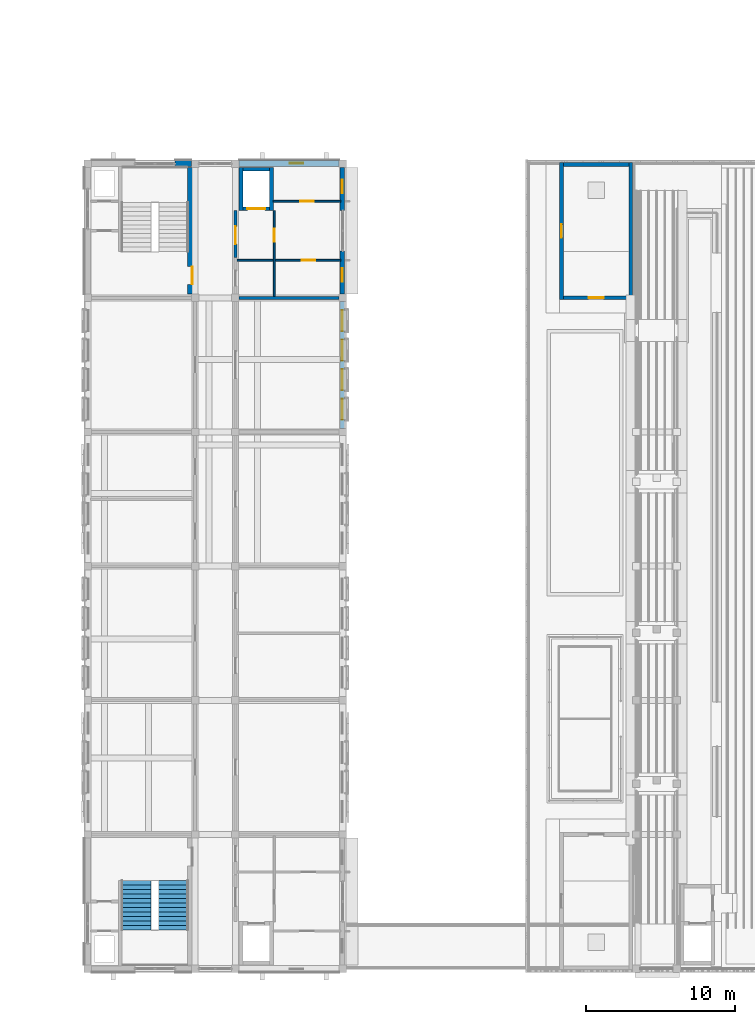
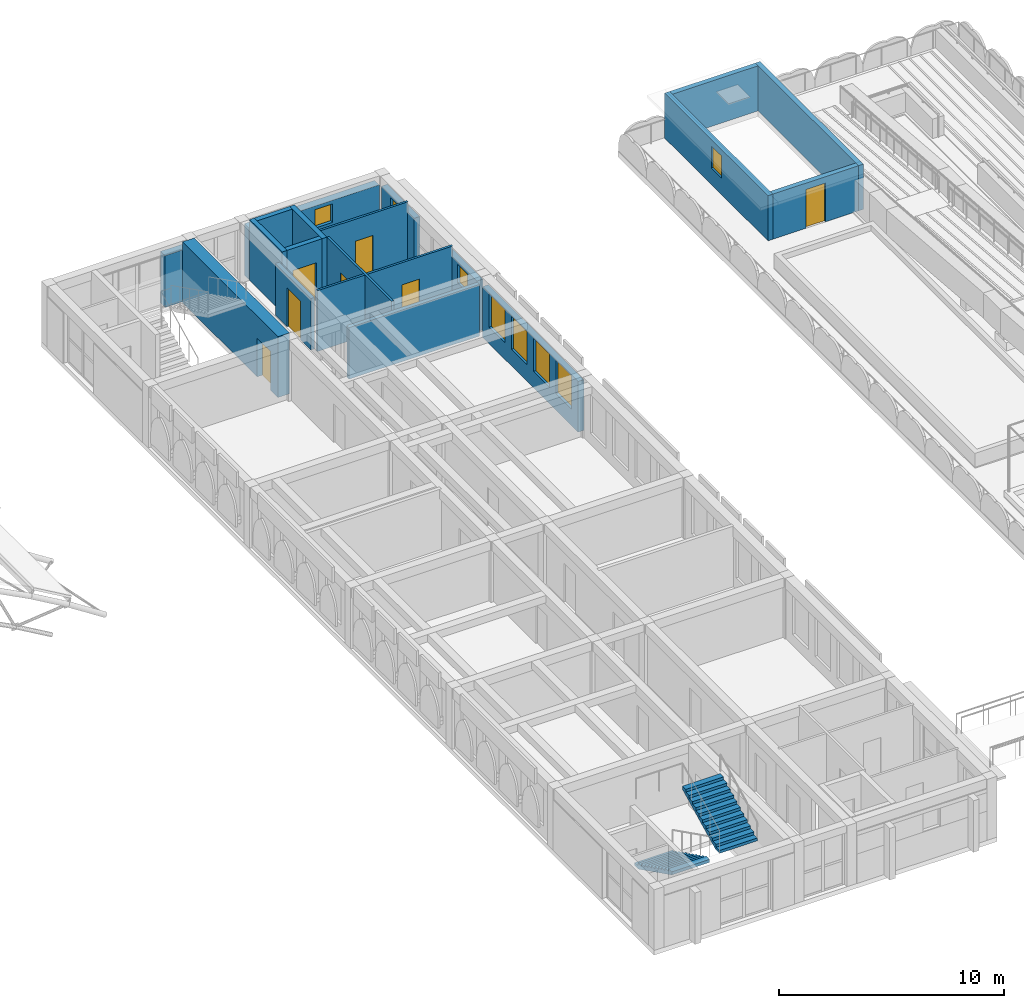
# One storey, part 32 of 50: 19 walls, 8 windows, 7 doors, 2 stair flights, 15 openings, 1 element without a shape of its own.
"""IFC4 building model written with IfcOpenShell, lengths in metres."""

import ifcopenshell
import ifcopenshell.guid

model = None  # the IFC model being written
_history = None  # IfcOwnerHistory: only IFC2X3 demands one
_inside = {}  # id of a spatial element -> (the spatial element, [elements in it])
_under = {}  # id of a project, library or spatial element -> (it, [spatial elements below it])
_declared = {}  # id of a project -> (the project, [libraries it declares])
_typed = {}  # id of a type object -> (the type object, [elements of that type])
_made_of = {}  # id of a material, layer set ... -> (it, [elements and type objects made of it])


def new_model(schema):
    """Start an empty IFC model of exactly this schema.

    Asked for "IFC4X3", IfcOpenShell would pick the latest addendum, in which some entities
    have other attributes; the version numbers below select the first issue.
    IFC2X3 requires an IfcOwnerHistory on every rooted entity: one is made here for all.
    """
    global model, _history
    if schema == "IFC4X3":
        model = ifcopenshell.file(schema_version=(4, 3, 0, 0))
    else:
        model = ifcopenshell.file(schema=schema)
    _inside.clear()
    _under.clear()
    _declared.clear()
    _typed.clear()
    _made_of.clear()
    _history = None
    if model.schema == "IFC2X3":
        org = make("IfcOrganization", Name="unknown")
        user = make(
            "IfcPersonAndOrganization",
            ThePerson=make("IfcPerson", FamilyName="unknown"),
            TheOrganization=org,
        )
        app = make(
            "IfcApplication",
            ApplicationDeveloper=org,
            Version="unknown",
            ApplicationFullName="unknown",
            ApplicationIdentifier="unknown",
        )
        _history = make(
            "IfcOwnerHistory",
            OwningUser=user,
            OwningApplication=app,
            ChangeAction="ADDED",
            CreationDate=0,
        )
    return model


def make(cls, **values):
    """One entity of the class cls with the attributes given. An attribute that is None is left unset."""
    return model.create_entity(
        cls, **{name: value for name, value in values.items() if value is not None}
    )


def rooted(cls, **values):
    """An entity with a GlobalId (a new one), such as an element, a storey or a relation."""
    return make(cls, GlobalId=ifcopenshell.guid.new(), OwnerHistory=_history, **values)


def si_unit(unit_type, name, prefix=None):
    """IfcSIUnit, for example si_unit("LENGTHUNIT", "METRE", prefix="MILLI")."""
    return make("IfcSIUnit", UnitType=unit_type, Prefix=prefix, Name=name)


def assignment(units):
    """IfcUnitAssignment: the units of a project."""
    return None if units is None else make("IfcUnitAssignment", Units=units)


def point(xyz):
    """IfcCartesianPoint."""
    return None if xyz is None else make("IfcCartesianPoint", Coordinates=xyz)


def direction(xyz):
    """IfcDirection."""
    return None if xyz is None else make("IfcDirection", DirectionRatios=xyz)


def frame(location, z_axis=None, x_axis=None):
    """IfcAxis2Placement3D, a coordinate frame: its origin and axes. An axis left out is left unset."""
    return make(
        "IfcAxis2Placement3D",
        Location=point(location),
        Axis=direction(z_axis),
        RefDirection=direction(x_axis),
    )


def frame_2d(location, x_axis=None):
    """IfcAxis2Placement2D, a coordinate frame in the plane: its origin and x axis."""
    return make(
        "IfcAxis2Placement2D", Location=point(location), RefDirection=direction(x_axis)
    )


def origin():
    """The frame at (0, 0, 0) with its axes left unset."""
    return frame((0.0, 0.0, 0.0))


def place(relative_to, where):
    """IfcLocalPlacement: puts the frame where relative to a parent placement (None: the world)."""
    return make(
        "IfcLocalPlacement", PlacementRelTo=relative_to, RelativePlacement=where
    )


def context(
    kind, dimensions, precision=None, world=None, true_north=None, identifier=None
):
    """IfcGeometricRepresentationContext, for example the 3D "Model" context."""
    return make(
        "IfcGeometricRepresentationContext",
        ContextIdentifier=identifier,
        ContextType=kind,
        CoordinateSpaceDimension=dimensions,
        Precision=precision,
        WorldCoordinateSystem=world,
        TrueNorth=true_north,
    )


def subcontext(parent, identifier, kind, view, scale=None):
    """IfcGeometricRepresentationSubContext, for example "Body" below "Model"."""
    return make(
        "IfcGeometricRepresentationSubContext",
        ContextIdentifier=identifier,
        ContextType=kind,
        ParentContext=parent,
        TargetScale=scale,
        TargetView=view,
    )


def project(units=None, contexts=None):
    """IfcProject with its units and contexts."""
    return rooted(
        "IfcProject",
        Name="project",
        RepresentationContexts=contexts,
        UnitsInContext=assignment(units),
    )


def spatial(cls, under=None, at=None, **own):
    """A site, building, storey or space (cls), placed at a placement, below another one or the project."""
    s = rooted(cls, ObjectPlacement=at, **own)
    if under is not None:
        _under.setdefault(under.id(), (under, []))[1].append(s)
    return s


def polyline(points):
    """IfcPolyline through the points."""
    return make("IfcPolyline", Points=[point(p) for p in points])


def profile(cls, at=None, kind="AREA", **sizes):
    """A parametric profile (cls). Its sizes go by their IFC names, for example OverallWidth=200.0."""
    return make(cls, ProfileType=kind, Position=at, **sizes)


def rectangle(**sizes):
    """IfcRectangleProfileDef."""
    return profile("IfcRectangleProfileDef", **sizes)


def outline(outer, holes=None, kind="AREA"):
    """IfcArbitraryClosedProfileDef: a profile drawn as a closed curve; with holes, ...WithVoids."""
    if holes is None:
        return make("IfcArbitraryClosedProfileDef", ProfileType=kind, OuterCurve=outer)
    return make(
        "IfcArbitraryProfileDefWithVoids",
        ProfileType=kind,
        OuterCurve=outer,
        InnerCurves=holes,
    )


def extrude(swept, where, along, depth):
    """IfcExtrudedAreaSolid: the profile swept, set in the frame where, extruded along a direction by depth."""
    return make(
        "IfcExtrudedAreaSolid",
        SweptArea=swept,
        Position=where,
        ExtrudedDirection=direction(along),
        Depth=depth,
    )


def shape(context_of_items, identifier, shape_type, items):
    """IfcShapeRepresentation: the items that make up one representation, for example the "Body"."""
    return make(
        "IfcShapeRepresentation",
        ContextOfItems=context_of_items,
        RepresentationIdentifier=identifier,
        RepresentationType=shape_type,
        Items=items,
    )


def material(Name=None, Category=None):
    """IfcMaterial."""
    return make("IfcMaterial", Name=Name, Category=Category)


def layer(
    of_material, thickness, ventilated=None, Name=None, Category=None, Priority=None
):
    """IfcMaterialLayer: one layer of a wall or slab, of a material (None: an air gap)."""
    return make(
        "IfcMaterialLayer",
        Material=of_material,
        LayerThickness=thickness,
        IsVentilated=ventilated,
        Name=Name,
        Category=Category,
        Priority=Priority,
    )


def layer_set(layers, Name=None):
    """IfcMaterialLayerSet."""
    return make("IfcMaterialLayerSet", MaterialLayers=layers, LayerSetName=Name)


def made_of(thing, what):
    """Note that an element or type object is made of a material, layer set ...; save() writes the relation."""
    if what is not None:
        _made_of.setdefault(what.id(), (what, []))[1].append(thing)
    return thing


def type_object(cls, material=None, **own):
    """A type object (cls), such as IfcWallType, which elements share."""
    return made_of(rooted(cls, **own), material)


def element(
    cls,
    number,
    at=None,
    inside=None,
    cuts=None,
    type_object=None,
    material=None,
    context=None,
    identifier="Body",
    shape_type=None,
    held_by="IfcProductDefinitionShape",
    body=None,
    shapes=None,
    **own,
):
    """One element of the class cls, such as IfcWall. Its Tag is "e" and its number.

    at: its placement. inside: the storey or other place that contains it. cuts: it is an
    opening in that element (IfcRelVoidsElement). A single representation is given by context,
    identifier, shape_type and body (its items); several are given by shapes. held_by: the class
    of the entity that holds the representations. save() writes the other relations.
    """
    e = rooted(cls, Tag="e%d" % number, ObjectPlacement=at, **own)
    if body is not None:
        shapes = [shape(context, identifier, shape_type, body)]
    if shapes is not None:
        e.Representation = make(held_by, Representations=shapes)
    if inside is not None:
        _inside.setdefault(inside.id(), (inside, []))[1].append(e)
    if cuts is not None:
        rooted(
            "IfcRelVoidsElement", RelatingBuildingElement=cuts, RelatedOpeningElement=e
        )
    if type_object is not None:
        _typed.setdefault(type_object.id(), (type_object, []))[1].append(e)
    return made_of(e, material)


def fill(opening, filler):
    """IfcRelFillsElement: the door or window that sits in an opening."""
    return rooted(
        "IfcRelFillsElement",
        RelatingOpeningElement=opening,
        RelatedBuildingElement=filler,
    )


def aggregate(whole, parts):
    """IfcRelAggregates: a whole, such as a stair, and the parts it consists of."""
    return rooted("IfcRelAggregates", RelatingObject=whole, RelatedObjects=parts)


def save(model, path):
    """Write the relations noted so far, then the file.

    IfcRelAggregates (storeys below a building ...), IfcRelContainedInSpatialStructure (elements
    in a storey), IfcRelDefinesByType, IfcRelAssociatesMaterial and IfcRelDeclares: one each for
    every whole, place, type object, material and project.
    """
    for whole, parts in _under.values():
        aggregate(whole, parts)
    for where, things in _inside.values():
        rooted(
            "IfcRelContainedInSpatialStructure",
            RelatedElements=things,
            RelatingStructure=where,
        )
    for kind, things in _typed.values():
        rooted("IfcRelDefinesByType", RelatedObjects=things, RelatingType=kind)
    for what, things in _made_of.values():
        rooted("IfcRelAssociatesMaterial", RelatedObjects=things, RelatingMaterial=what)
    for by, libraries in _declared.values():
        rooted("IfcRelDeclares", RelatingContext=by, RelatedDefinitions=libraries)
    model.write(path)


model = new_model("IFC4")

# Units and contexts
model_context = context("Model", 3, precision=1e-05, world=origin(), true_north=direction((0.0, 1.0)))
body_context = subcontext(model_context, "Body", "Model", "MODEL_VIEW")
ifc_project = project(units=[si_unit("LENGTHUNIT", "METRE"), si_unit("AREAUNIT", "SQUARE_METRE"), si_unit("VOLUMEUNIT", "CUBIC_METRE"), si_unit("PLANEANGLEUNIT", "RADIAN"), si_unit("MASSUNIT", "GRAM", prefix="KILO")], contexts=[model_context])

# Site, building, storey
site_placement = place(None, origin())
site = spatial("IfcSite", under=ifc_project, at=site_placement, CompositionType="ELEMENT")
building_placement = place(site_placement, origin())
building = spatial("IfcBuilding", under=site, at=building_placement, Name="Elbe Cascade School", CompositionType="ELEMENT")
storey_placement = place(building_placement, frame((0.0, 0.0, 15.300048828125)))
storey = spatial("IfcBuildingStorey", under=building, at=storey_placement, Name="L04", CompositionType="ELEMENT", Elevation=15.300048828125)

# Wall, opening, door
ifc_material_1 = material(Name="Masonry - lime-sand block, plastered", Category="masonry")
ifc_layer_1 = layer(ifc_material_1, 0.199951171875)
ifc_layer_set_1 = layer_set([ifc_layer_1], Name="Masonry - lime-sand block, plastered")
wall_type_1 = type_object("IfcWallType", Name="Bar corridor wall lime-sand block 200 EI 30", PredefinedType="PARTITIONING", material=ifc_layer_set_1)
wall_1_placement = place(storey_placement, frame((78.89990234375, 56.85009765625, 0.0), z_axis=(0.0, 0.0, 1.0), x_axis=(0.0, -1.0, 0.0)))
wall_1 = element("IfcWall", 1, at=wall_1_placement, inside=storey, type_object=wall_type_1, Name="Bar corridor wall lime-sand block 200 EI 30", PredefinedType="PARTITIONING", context=body_context, shape_type="SweptSolid", body=[
    extrude(rectangle(XDim=3.150146484375, YDim=0.199951171875, at=frame_2d((1.5751953125, 0.0))), origin(), (0.0, 0.0, 1.0), 2.800048828125),
])
opening_1_placement = place(wall_1_placement, frame((1.050048828125, 0.0, 0.0)))
opening_1 = element("IfcOpeningElement", 2, at=opening_1_placement, cuts=wall_1, Name="Opening D4.023", PredefinedType="OPENING", context=body_context, shape_type="SweptSolid", body=[
    extrude(rectangle(XDim=1.199951171875, YDim=2.10009765625, at=frame_2d((0.60009765625, 1.050048828125))), frame((0.0, 0.10986328125, 0.0), z_axis=(0.0, -1.0, 0.0), x_axis=(1.0, 0.0, 0.0)), (0.0, 0.0, 1.0), 0.219970703125),
])
ifc_material_2 = material(Name="Timber door leaf, fire-resisting and smoke-tight, steel frame", Category="steel")
door_type_1 = type_object("IfcDoorType", Name="Bar door FD30S 1200x2100", OperationType="NOTDEFINED", PredefinedType="DOOR", material=ifc_material_2)
door_1_placement = place(opening_1_placement, origin())
door_1 = element("IfcDoor", 3, at=door_1_placement, inside=storey, type_object=door_type_1, Name="Door A4.15", OperationType="SINGLE_SWING_LEFT", OverallHeight=2.10009765625, OverallWidth=1.199951171875, PredefinedType="DOOR", context=body_context, shape_type="SweptSolid", body=[
    extrude(rectangle(XDim=1.199951171875, YDim=2.10009765625, at=frame_2d((0.60009765625, 1.050048828125))), frame((0.0, 0.02490234375, 0.0), z_axis=(0.0, -1.0, 0.0), x_axis=(1.0, 0.0, 0.0)), (0.0, 0.0, 1.0), 0.050048828125),
])
fill(opening_1, door_1)

ifc_material_3 = material(Name="Masonry - lime-sand block, plastered", Category="masonry")
ifc_layer_2 = layer(ifc_material_3, 0.114990234375)
ifc_layer_set_2 = layer_set([ifc_layer_2], Name="Masonry - lime-sand block, plastered")
wall_type_2 = type_object("IfcWallType", Name="Bar light partition wall lime-sand block 115", PredefinedType="PARTITIONING", material=ifc_layer_set_2)
wall_2_placement = place(storey_placement, frame((81.507568359375, 56.85009765625, 0.0), z_axis=(0.0, 0.0, 1.0), x_axis=(0.0, -1.0, 0.0)))
wall_2 = element("IfcWall", 4, at=wall_2_placement, inside=storey, type_object=wall_type_2, Name="Bar light partition wall lime-sand block 115", PredefinedType="PARTITIONING", context=body_context, shape_type="SweptSolid", body=[
    extrude(rectangle(XDim=5.75, YDim=0.114990234375, at=frame_2d((2.875, 0.0))), origin(), (0.0, 0.0, 1.0), 3.300048828125),
])
opening_2_placement = place(wall_2_placement, frame((1.199951171875, 0.0, 0.0)))
opening_2 = element("IfcOpeningElement", 5, at=opening_2_placement, cuts=wall_2, Name="Opening D4.024", PredefinedType="OPENING", context=body_context, shape_type="SweptSolid", body=[
    extrude(rectangle(XDim=0.89990234375, YDim=2.10009765625, at=frame_2d((0.449951171875, 1.050048828125))), frame((0.0, 0.0673828125, 0.0), z_axis=(0.0, -1.0, 0.0), x_axis=(1.0, 0.0, 0.0)), (0.0, 0.0, 1.0), 0.135009765625),
])
ifc_material_4 = material(Name="Timber door leaf, steel frame", Category="steel")
door_type_2 = type_object("IfcDoorType", Name="Bar door 900x2100", OperationType="NOTDEFINED", PredefinedType="DOOR", material=ifc_material_4)
door_2_placement = place(opening_2_placement, origin())
door_2 = element("IfcDoor", 6, at=door_2_placement, inside=storey, type_object=door_type_2, Name="Door A4.16", OperationType="SINGLE_SWING_LEFT", OverallHeight=2.10009765625, OverallWidth=0.89990234375, PredefinedType="DOOR", context=body_context, shape_type="SweptSolid", body=[
    extrude(rectangle(XDim=0.89990234375, YDim=2.10009765625, at=frame_2d((0.449951171875, 1.050048828125))), frame((0.0, 0.02490234375, 0.0), z_axis=(0.0, -1.0, 0.0), x_axis=(1.0, 0.0, 0.0)), (0.0, 0.0, 1.0), 0.050048828125),
])
fill(opening_2, door_2)

wall_3_placement = place(storey_placement, frame((81.449951171875, 57.47998046875, 0.0), z_axis=(0.0, 0.0, 1.0), x_axis=(1.0, 0.0, 0.0)))
wall_3 = element("IfcWall", 7, at=wall_3_placement, inside=storey, type_object=wall_type_2, Name="Bar light partition wall lime-sand block 115", PredefinedType="PARTITIONING", context=body_context, shape_type="SweptSolid", body=[
    extrude(rectangle(XDim=4.5, YDim=0.114990234375, at=frame_2d((2.25, 0.0))), origin(), (0.0, 0.0, 1.0), 3.300048828125),
])
opening_3_placement = place(wall_3_placement, frame((1.800048828125, 0.0, 0.0)))
opening_3 = element("IfcOpeningElement", 8, at=opening_3_placement, cuts=wall_3, Name="Opening D4.028", PredefinedType="OPENING", context=body_context, shape_type="SweptSolid", body=[
    extrude(rectangle(XDim=0.89990234375, YDim=2.10009765625, at=frame_2d((0.449951171875, 1.050048828125))), frame((0.0, 0.0673828125, 0.0), z_axis=(0.0, -1.0, 0.0), x_axis=(1.0, 0.0, 0.0)), (0.0, 0.0, 1.0), 0.135009765625),
])
door_3_placement = place(opening_3_placement, origin())
door_3 = element("IfcDoor", 9, at=door_3_placement, inside=storey, type_object=door_type_2, Name="Door A4.17", OperationType="SINGLE_SWING_LEFT", OverallHeight=2.10009765625, OverallWidth=0.89990234375, PredefinedType="DOOR", context=body_context, shape_type="SweptSolid", body=[
    extrude(rectangle(XDim=0.89990234375, YDim=2.10009765625, at=frame_2d((0.449951171875, 1.050048828125))), frame((0.0, 0.02490234375, 0.0), z_axis=(0.0, -1.0, 0.0), x_axis=(1.0, 0.0, 0.0)), (0.0, 0.0, 1.0), 0.050048828125),
])
fill(opening_3, door_3)

wall_4_placement = place(storey_placement, frame((85.949951171875, 53.52001953125, 0.0), z_axis=(0.0, 0.0, 1.0), x_axis=(-1.0, 0.0, 0.0)))
wall_4 = element("IfcWall", 10, at=wall_4_placement, inside=storey, type_object=wall_type_2, Name="Bar light partition wall lime-sand block 115", PredefinedType="PARTITIONING", context=body_context, shape_type="SweptSolid", body=[
    extrude(rectangle(XDim=6.949951171875, YDim=0.114990234375, at=frame_2d((3.47509765625, 0.0))), origin(), (0.0, 0.0, 1.0), 3.300048828125),
])
opening_4_placement = place(wall_4_placement, frame((1.699951171875, 0.0, 0.0)))
opening_4 = element("IfcOpeningElement", 11, at=opening_4_placement, cuts=wall_4, Name="Opening D4.022", PredefinedType="OPENING", context=body_context, shape_type="SweptSolid", body=[
    extrude(rectangle(XDim=0.89990234375, YDim=2.10009765625, at=frame_2d((0.449951171875, 1.050048828125))), frame((0.0, 0.0673828125, 0.0), z_axis=(0.0, -1.0, 0.0), x_axis=(1.0, 0.0, 0.0)), (0.0, 0.0, 1.0), 0.135009765625),
])
door_4_placement = place(opening_4_placement, origin())
door_4 = element("IfcDoor", 12, at=door_4_placement, inside=storey, type_object=door_type_2, Name="Door A4.18", OperationType="SINGLE_SWING_RIGHT", OverallHeight=2.10009765625, OverallWidth=0.89990234375, PredefinedType="DOOR", context=body_context, shape_type="SweptSolid", body=[
    extrude(rectangle(XDim=0.89990234375, YDim=2.10009765625, at=frame_2d((0.449951171875, 1.050048828125))), frame((0.0, 0.02490234375, 0.0), z_axis=(0.0, -1.0, 0.0), x_axis=(1.0, 0.0, 0.0)), (0.0, 0.0, 1.0), 0.050048828125),
])
fill(opening_4, door_4)

# Wall
ifc_material_5 = material(Name="Masonry - lime-sand block, plastered", Category="masonry")
ifc_layer_3 = layer(ifc_material_5, 0.199951171875)
ifc_layer_set_3 = layer_set([ifc_layer_3], Name="Masonry - lime-sand block, plastered")
wall_type_3 = type_object("IfcWallType", Name="Bar partition wall lime-sand block 200", PredefinedType="PARTITIONING", material=ifc_layer_set_3)
wall_5_placement = place(storey_placement, frame((79.14990234375, 51.0, 0.0), z_axis=(0.0, 0.0, 1.0), x_axis=(1.0, 0.0, 0.0)))
element("IfcWall", 13, at=wall_5_placement, inside=storey, type_object=wall_type_3, Name="Bar partition wall lime-sand block 200", PredefinedType="PARTITIONING", context=body_context, shape_type="SweptSolid", body=[
    extrude(rectangle(XDim=6.7001953125, YDim=0.199951171875, at=frame_2d((3.35009765625, 0.0))), origin(), (0.0, 0.0, 1.0), 2.800048828125),
])

# Wall, opening, door
ifc_material_6 = material(Name="Concrete C30/37", Category="concrete")
ifc_layer_4 = layer(ifc_material_6, 0.60009765625)
ifc_layer_set_4 = layer_set([ifc_layer_4], Name="Concrete C30/37")
wall_type_4 = type_object("IfcWallType", Name="Bar stair core wall RC 600", PredefinedType="SOLIDWALL", material=ifc_layer_set_4)
wall_6_placement = place(storey_placement, frame((76.0, 51.25, 0.0), z_axis=(0.0, 0.0, 1.0), x_axis=(0.0, 1.0, 0.0)))
wall_6 = element("IfcWall", 14, at=wall_6_placement, inside=storey, type_object=wall_type_4, Name="Bar stair core wall RC 600", PredefinedType="SOLIDWALL", context=body_context, shape_type="SweptSolid", body=[
    extrude(rectangle(XDim=8.5, YDim=0.60009765625, at=frame_2d((4.25, 0.0))), origin(), (0.0, 0.0, 1.0), 3.300048828125),
])
opening_5_placement = place(wall_6_placement, frame((0.64990234375, 0.0, 0.0)))
opening_5 = element("IfcOpeningElement", 15, at=opening_5_placement, cuts=wall_6, Name="Opening D4.021", PredefinedType="OPENING", context=body_context, shape_type="SweptSolid", body=[
    extrude(rectangle(XDim=1.199951171875, YDim=2.10009765625, at=frame_2d((0.60009765625, 1.050048828125))), frame((0.0, 0.31005859375, 0.0), z_axis=(0.0, -1.0, 0.0), x_axis=(1.0, 0.0, 0.0)), (0.0, 0.0, 1.0), 0.6201171875),
])
door_5_placement = place(opening_5_placement, origin())
door_5 = element("IfcDoor", 16, at=door_5_placement, inside=storey, type_object=door_type_1, Name="Door A4.12", OperationType="SINGLE_SWING_RIGHT", OverallHeight=2.10009765625, OverallWidth=1.199951171875, PredefinedType="DOOR", context=body_context, shape_type="SweptSolid", body=[
    extrude(rectangle(XDim=1.199951171875, YDim=2.10009765625, at=frame_2d((0.60009765625, 1.050048828125))), frame((0.0, 0.02490234375, 0.0), z_axis=(0.0, -1.0, 0.0), x_axis=(1.0, 0.0, 0.0)), (0.0, 0.0, 1.0), 0.050048828125),
])
fill(opening_5, door_5)

# Wall, openings, windows
ifc_material_7 = material(Name="Brick masonry - red clinker, cavity wall with render backing", Category="masonry")
ifc_layer_5 = layer(ifc_material_7, 0.300048828125)
ifc_layer_set_5 = layer_set([ifc_layer_5], Name="Brick masonry - red clinker, cavity wall with render backing")
wall_type_5 = type_object("IfcWallType", Name="Bars envelope External wall - clinker brick cavity, 300 upper floors", PredefinedType="STANDARD", material=ifc_layer_set_5)
wall_7_placement = place(storey_placement, frame((86.070068359375, 50.75, 0.0), z_axis=(0.0, 0.0, 1.0), x_axis=(0.0, -1.0, 0.0)))
wall_7 = element("IfcWall", 17, at=wall_7_placement, inside=storey, type_object=wall_type_5, Name="External wall W30 A.L04.e5", PredefinedType="STANDARD", context=body_context, shape_type="SweptSolid", body=[
    extrude(rectangle(XDim=8.5, YDim=0.300048828125, at=frame_2d((4.25, 0.0))), origin(), (0.0, 0.0, 1.0), 2.75),
])
opening_6_placement = place(wall_7_placement, frame((6.52001953125, 0.0, 0.89990234375)))
opening_6 = element("IfcOpeningElement", 18, at=opening_6_placement, cuts=wall_7, Name="Opening W4.029", PredefinedType="OPENING", context=body_context, shape_type="SweptSolid", body=[
    extrude(rectangle(XDim=1.39990234375, YDim=1.800048828125, at=frame_2d((0.699951171875, 0.89990234375))), frame((0.0, 0.159912109375, 0.0), z_axis=(0.0, -1.0, 0.0), x_axis=(1.0, 0.0, 0.0)), (0.0, 0.0, 1.0), 0.320068359375),
])
opening_7_placement = place(wall_7_placement, frame((4.5400390625, 0.0, 0.89990234375)))
opening_7 = element("IfcOpeningElement", 19, at=opening_7_placement, cuts=wall_7, Name="Opening W4.031", PredefinedType="OPENING", context=body_context, shape_type="SweptSolid", body=[
    extrude(rectangle(XDim=1.39990234375, YDim=1.800048828125, at=frame_2d((0.699951171875, 0.89990234375))), frame((0.0, 0.159912109375, 0.0), z_axis=(0.0, -1.0, 0.0), x_axis=(1.0, 0.0, 0.0)), (0.0, 0.0, 1.0), 0.320068359375),
])
opening_8_placement = place(wall_7_placement, frame((2.56005859375, 0.0, 0.89990234375)))
opening_8 = element("IfcOpeningElement", 20, at=opening_8_placement, cuts=wall_7, Name="Opening W4.033", PredefinedType="OPENING", context=body_context, shape_type="SweptSolid", body=[
    extrude(rectangle(XDim=1.39990234375, YDim=1.800048828125, at=frame_2d((0.699951171875, 0.89990234375))), frame((0.0, 0.159912109375, 0.0), z_axis=(0.0, -1.0, 0.0), x_axis=(1.0, 0.0, 0.0)), (0.0, 0.0, 1.0), 0.320068359375),
])
opening_9_placement = place(wall_7_placement, frame((0.580078125, 0.0, 0.89990234375)))
opening_9 = element("IfcOpeningElement", 21, at=opening_9_placement, cuts=wall_7, Name="Opening W4.035", PredefinedType="OPENING", context=body_context, shape_type="SweptSolid", body=[
    extrude(rectangle(XDim=1.39990234375, YDim=1.800048828125, at=frame_2d((0.699951171875, 0.89990234375))), frame((0.0, 0.159912109375, 0.0), z_axis=(0.0, -1.0, 0.0), x_axis=(1.0, 0.0, 0.0)), (0.0, 0.0, 1.0), 0.320068359375),
])
ifc_material_8 = material(Name="Aluminium frame with double glazing, bronze anodised", Category="aluminium")
window_type_1 = type_object("IfcWindowType", Name="Bars envelope Window 1400 x 1800, laboratory and office, bench height sill, aluminium double glazed", PartitioningType="DOUBLE_PANEL_VERTICAL", PredefinedType="WINDOW", material=ifc_material_8)
window_1_placement = place(opening_6_placement, origin())
window_1 = element("IfcWindow", 22, at=window_1_placement, inside=storey, type_object=window_type_1, Name="Window WN9 A.L04.e5.1", OverallHeight=1.800048828125, OverallWidth=1.39990234375, PartitioningType="DOUBLE_PANEL_VERTICAL", PredefinedType="WINDOW", context=body_context, shape_type="SweptSolid", body=[
    extrude(rectangle(XDim=1.39990234375, YDim=1.800048828125, at=frame_2d((0.699951171875, 0.89990234375))), frame((0.0, 0.030029296875, 0.0), z_axis=(0.0, -1.0, 0.0), x_axis=(1.0, 0.0, 0.0)), (0.0, 0.0, 1.0), 0.06005859375),
])
fill(opening_6, window_1)
window_2_placement = place(opening_7_placement, origin())
window_2 = element("IfcWindow", 23, at=window_2_placement, inside=storey, type_object=window_type_1, Name="Window WN9 A.L04.e5.2", OverallHeight=1.800048828125, OverallWidth=1.39990234375, PartitioningType="DOUBLE_PANEL_VERTICAL", PredefinedType="WINDOW", context=body_context, shape_type="SweptSolid", body=[
    extrude(rectangle(XDim=1.39990234375, YDim=1.800048828125, at=frame_2d((0.699951171875, 0.89990234375))), frame((0.0, 0.030029296875, 0.0), z_axis=(0.0, -1.0, 0.0), x_axis=(1.0, 0.0, 0.0)), (0.0, 0.0, 1.0), 0.06005859375),
])
fill(opening_7, window_2)
window_3_placement = place(opening_8_placement, origin())
window_3 = element("IfcWindow", 24, at=window_3_placement, inside=storey, type_object=window_type_1, Name="Window WN9 A.L04.e5.3", OverallHeight=1.800048828125, OverallWidth=1.39990234375, PartitioningType="DOUBLE_PANEL_VERTICAL", PredefinedType="WINDOW", context=body_context, shape_type="SweptSolid", body=[
    extrude(rectangle(XDim=1.39990234375, YDim=1.800048828125, at=frame_2d((0.699951171875, 0.89990234375))), frame((0.0, 0.030029296875, 0.0), z_axis=(0.0, -1.0, 0.0), x_axis=(1.0, 0.0, 0.0)), (0.0, 0.0, 1.0), 0.06005859375),
])
fill(opening_8, window_3)
window_4_placement = place(opening_9_placement, origin())
window_4 = element("IfcWindow", 25, at=window_4_placement, inside=storey, type_object=window_type_1, Name="Window WN9 A.L04.e5.4", OverallHeight=1.800048828125, OverallWidth=1.39990234375, PartitioningType="DOUBLE_PANEL_VERTICAL", PredefinedType="WINDOW", context=body_context, shape_type="SweptSolid", body=[
    extrude(rectangle(XDim=1.39990234375, YDim=1.800048828125, at=frame_2d((0.699951171875, 0.89990234375))), frame((0.0, 0.030029296875, 0.0), z_axis=(0.0, -1.0, 0.0), x_axis=(1.0, 0.0, 0.0)), (0.0, 0.0, 1.0), 0.06005859375),
])
fill(opening_9, window_4)

# Wall, opening, window
wall_8_placement = place(storey_placement, frame((86.070068359375, 54.14990234375, 0.0), z_axis=(0.0, 0.0, 1.0), x_axis=(0.0, -1.0, 0.0)))
wall_8 = element("IfcWall", 26, at=wall_8_placement, inside=storey, type_object=wall_type_5, Name="External wall W30 A.L04.e6a", PredefinedType="STANDARD", context=body_context, shape_type="SweptSolid", body=[
    extrude(rectangle(XDim=2.89990234375, YDim=0.300048828125, at=frame_2d((1.449951171875, 0.0))), origin(), (0.0, 0.0, 1.0), 2.75),
])
opening_10_placement = place(wall_8_placement, frame((1.169921875, 0.0, 1.60009765625)))
opening_10 = element("IfcOpeningElement", 27, at=opening_10_placement, cuts=wall_8, Name="Opening W4.036", PredefinedType="OPENING", context=body_context, shape_type="SweptSolid", body=[
    extrude(rectangle(XDim=0.89990234375, YDim=1.0, at=frame_2d((0.449951171875, 0.5))), frame((0.0, 0.159912109375, 0.0), z_axis=(0.0, -1.0, 0.0), x_axis=(1.0, 0.0, 0.0)), (0.0, 0.0, 1.0), 0.320068359375),
])
ifc_material_9 = material(Name="Aluminium frame with double glazing, bronze anodised", Category="aluminium")
window_type_2 = type_object("IfcWindowType", Name="Bars envelope Window 900 x 1000, WC and service room, high level, aluminium double glazed", PartitioningType="SINGLE_PANEL", PredefinedType="WINDOW", material=ifc_material_9)
window_5_placement = place(opening_10_placement, origin())
window_5 = element("IfcWindow", 28, at=window_5_placement, inside=storey, type_object=window_type_2, Name="Window WN4 A.L04.e6a.1", OverallHeight=1.0, OverallWidth=0.89990234375, PartitioningType="SINGLE_PANEL", PredefinedType="WINDOW", context=body_context, shape_type="SweptSolid", body=[
    extrude(rectangle(XDim=0.89990234375, YDim=1.0, at=frame_2d((0.449951171875, 0.5))), frame((0.0, 0.030029296875, 0.0), z_axis=(0.0, -1.0, 0.0), x_axis=(1.0, 0.0, 0.0)), (0.0, 0.0, 1.0), 0.06005859375),
])
fill(opening_10, window_5)

wall_9_placement = place(storey_placement, frame((86.070068359375, 59.75, 0.0), z_axis=(0.0, 0.0, 1.0), x_axis=(0.0, -1.0, 0.0)))
wall_9 = element("IfcWall", 29, at=wall_9_placement, inside=storey, type_object=wall_type_5, Name="External wall W30 A.L04.e6b", PredefinedType="STANDARD", context=body_context, shape_type="SweptSolid", body=[
    extrude(rectangle(XDim=2.89990234375, YDim=0.300048828125, at=frame_2d((1.449951171875, 0.0))), origin(), (0.0, 0.0, 1.0), 2.75),
])
opening_11_placement = place(wall_9_placement, frame((0.830078125, 0.0, 1.60009765625)))
opening_11 = element("IfcOpeningElement", 30, at=opening_11_placement, cuts=wall_9, Name="Opening W4.037", PredefinedType="OPENING", context=body_context, shape_type="SweptSolid", body=[
    extrude(rectangle(XDim=0.89990234375, YDim=1.0, at=frame_2d((0.449951171875, 0.5))), frame((0.0, 0.159912109375, 0.0), z_axis=(0.0, -1.0, 0.0), x_axis=(1.0, 0.0, 0.0)), (0.0, 0.0, 1.0), 0.320068359375),
])
window_6_placement = place(opening_11_placement, origin())
window_6 = element("IfcWindow", 31, at=window_6_placement, inside=storey, type_object=window_type_2, Name="Window WN4 A.L04.e6b.1", OverallHeight=1.0, OverallWidth=0.89990234375, PartitioningType="SINGLE_PANEL", PredefinedType="WINDOW", context=body_context, shape_type="SweptSolid", body=[
    extrude(rectangle(XDim=0.89990234375, YDim=1.0, at=frame_2d((0.449951171875, 0.5))), frame((0.0, 0.030029296875, 0.0), z_axis=(0.0, -1.0, 0.0), x_axis=(1.0, 0.0, 0.0)), (0.0, 0.0, 1.0), 0.06005859375),
])
fill(opening_11, window_6)

# Wall
ifc_material_10 = material(Name="Brick masonry - red clinker, solid, sandstone-faced", Category="masonry")
ifc_layer_6 = layer(ifc_material_10, 0.39990234375)
ifc_layer_set_6 = layer_set([ifc_layer_6], Name="Brick masonry - red clinker, solid, sandstone-faced")
wall_type_6 = type_object("IfcWallType", Name="Bars envelope External wall - solid masonry core strip, sandstone faced, 400", PredefinedType="STANDARD", material=ifc_layer_set_6)
wall_10_placement = place(storey_placement, frame((74.85009765625, 60.02001953125, 0.0), z_axis=(0.0, 0.0, 1.0), x_axis=(1.0, 0.0, 0.0)))
element("IfcWall", 32, at=wall_10_placement, inside=storey, type_object=wall_type_6, Name="External wall W31 A.L04.n1b", PredefinedType="STANDARD", context=body_context, shape_type="SweptSolid", body=[
    extrude(rectangle(XDim=1.099853515625, YDim=0.39990234375, at=frame_2d((0.5498046875, 0.0))), origin(), (0.0, 0.0, 1.0), 2.800048828125),
])

# Wall, opening, window
wall_11_placement = place(storey_placement, frame((79.14990234375, 60.02001953125, 0.0), z_axis=(0.0, 0.0, 1.0), x_axis=(1.0, 0.0, 0.0)))
wall_11 = element("IfcWall", 33, at=wall_11_placement, inside=storey, type_object=wall_type_6, Name="External wall W31 A.L04.n3", PredefinedType="STANDARD", context=body_context, shape_type="SweptSolid", body=[
    extrude(rectangle(XDim=6.7001953125, YDim=0.39990234375, at=frame_2d((3.35009765625, 0.0))), origin(), (0.0, 0.0, 1.0), 2.800048828125),
])
opening_12_placement = place(wall_11_placement, frame((3.39990234375, 0.0, 1.60009765625)))
opening_12 = element("IfcOpeningElement", 34, at=opening_12_placement, cuts=wall_11, Name="Opening W4.038", PredefinedType="OPENING", context=body_context, shape_type="SweptSolid", body=[
    extrude(rectangle(XDim=0.89990234375, YDim=1.0, at=frame_2d((0.449951171875, 0.5))), frame((0.0, 0.2099609375, 0.0), z_axis=(0.0, -1.0, 0.0), x_axis=(1.0, 0.0, 0.0)), (0.0, 0.0, 1.0), 0.419921875),
])
window_7_placement = place(opening_12_placement, origin())
window_7 = element("IfcWindow", 35, at=window_7_placement, inside=storey, type_object=window_type_2, Name="Window WN4 A.L04.n3.1", OverallHeight=1.0, OverallWidth=0.89990234375, PartitioningType="SINGLE_PANEL", PredefinedType="WINDOW", context=body_context, shape_type="SweptSolid", body=[
    extrude(rectangle(XDim=0.89990234375, YDim=1.0, at=frame_2d((0.449951171875, 0.5))), frame((0.0, 0.030029296875, 0.0), z_axis=(0.0, -1.0, 0.0), x_axis=(1.0, 0.0, 0.0)), (0.0, 0.0, 1.0), 0.06005859375),
])
fill(opening_12, window_7)

ifc_material_11 = material(Name="Concrete C30/37", Category="concrete")
ifc_layer_7 = layer(ifc_material_11, 0.25)
ifc_layer_set_7 = layer_set([ifc_layer_7], Name="Concrete C30/37")
wall_type_7 = type_object("IfcWallType", Name="Head-house wall 250", PredefinedType="SOLIDWALL", material=ifc_layer_set_7)
wall_12_placement = place(storey_placement, frame((100.77490234375, 50.875, 0.0), z_axis=(0.0, 0.0, 1.0), x_axis=(0.0, 1.0, 0.0)))
wall_12 = element("IfcWall", 36, at=wall_12_placement, inside=storey, type_object=wall_type_7, Name="Head-house wall 250 W2", PredefinedType="SOLIDWALL", context=body_context, shape_type="SweptSolid", body=[
    extrude(rectangle(XDim=9.195068359375, YDim=0.25, at=frame_2d((4.59765625, 0.0))), origin(), (0.0, 0.0, 1.0), 2.449951171875),
])
opening_13_placement = place(wall_12_placement, frame((4.1474609375, 0.0, 0.89990234375)))
opening_13 = element("IfcOpeningElement", 37, at=opening_13_placement, cuts=wall_12, Name="Opening W4.042", PredefinedType="OPENING", context=body_context, shape_type="SweptSolid", body=[
    extrude(rectangle(XDim=0.89990234375, YDim=1.199951171875, at=frame_2d((0.449951171875, 0.60009765625))), frame((0.0, 0.135009765625, 0.0), z_axis=(0.0, -1.0, 0.0), x_axis=(1.0, 0.0, 0.0)), (0.0, 0.0, 1.0), 0.27001953125),
])
ifc_material_12 = material(Name="Aluminium frame with double glazing, bronze anodised", Category="aluminium")
window_type_3 = type_object("IfcWindowType", Name="Bars envelope Head-house window 900 x 1200, stair daylight, aluminium double glazed", PartitioningType="SINGLE_PANEL", PredefinedType="WINDOW", material=ifc_material_12)
window_8_placement = place(opening_13_placement, origin())
window_8 = element("IfcWindow", 38, at=window_8_placement, inside=storey, type_object=window_type_3, Name="Window WN10 B.L04.head-house north", OverallHeight=1.199951171875, OverallWidth=0.89990234375, PartitioningType="SINGLE_PANEL", PredefinedType="WINDOW", context=body_context, shape_type="SweptSolid", body=[
    extrude(rectangle(XDim=0.89990234375, YDim=1.199951171875, at=frame_2d((0.449951171875, 0.60009765625))), frame((0.0, 0.030029296875, 0.0), z_axis=(0.0, -1.0, 0.0), x_axis=(1.0, 0.0, 0.0)), (0.0, 0.0, 1.0), 0.06005859375),
])
fill(opening_13, window_8)

# Wall
wall_13_placement = place(storey_placement, frame((105.425048828125, 50.875, 0.0), z_axis=(0.0, 0.0, 1.0), x_axis=(0.0, 1.0, 0.0)))
element("IfcWall", 39, at=wall_13_placement, inside=storey, type_object=wall_type_7, Name="Head-house wall 250 W2", PredefinedType="SOLIDWALL", context=body_context, shape_type="SweptSolid", body=[
    extrude(rectangle(XDim=9.195068359375, YDim=0.25, at=frame_2d((4.59765625, 0.0))), origin(), (0.0, 0.0, 1.0), 2.449951171875),
])

# Wall, opening, door
wall_14_placement = place(storey_placement, frame((105.300048828125, 51.0, 0.0), z_axis=(0.0, 0.0, 1.0), x_axis=(-1.0, 0.0, 0.0)))
wall_14 = element("IfcWall", 40, at=wall_14_placement, inside=storey, type_object=wall_type_7, Name="Head-house wall 250 W2", PredefinedType="SOLIDWALL", context=body_context, shape_type="SweptSolid", body=[
    extrude(rectangle(XDim=4.400146484375, YDim=0.25, at=frame_2d((2.2001953125, 0.0))), origin(), (0.0, 0.0, 1.0), 2.449951171875),
])
opening_14_placement = place(wall_14_placement, frame((1.699951171875, 0.0, 0.0)))
opening_14 = element("IfcOpeningElement", 41, at=opening_14_placement, cuts=wall_14, Name="Opening D4.032", PredefinedType="OPENING", context=body_context, shape_type="SweptSolid", body=[
    extrude(rectangle(XDim=1.0, YDim=2.10009765625, at=frame_2d((0.5, 1.050048828125))), frame((0.0, 0.135009765625, 0.0), z_axis=(0.0, -1.0, 0.0), x_axis=(1.0, 0.0, 0.0)), (0.0, 0.0, 1.0), 0.27001953125),
])
ifc_material_13 = material(Name="Head-house door 1000x2100")
door_type_3 = type_object("IfcDoorType", Name="Head-house door 1000x2100", OperationType="SINGLE_SWING_RIGHT", PredefinedType="DOOR", material=ifc_material_13)
door_6_placement = place(opening_14_placement, origin())
door_6 = element("IfcDoor", 42, at=door_6_placement, inside=storey, type_object=door_type_3, Name="Head-house door 1000x2100 D4.032", OperationType="SINGLE_SWING_RIGHT", OverallHeight=2.10009765625, OverallWidth=1.0, PredefinedType="DOOR", context=body_context, shape_type="SweptSolid", body=[
    extrude(rectangle(XDim=1.0, YDim=2.10009765625, at=frame_2d((0.5, 1.050048828125))), frame((0.0, 0.02490234375, 0.0), z_axis=(0.0, -1.0, 0.0), x_axis=(1.0, 0.0, 0.0)), (0.0, 0.0, 1.0), 0.050048828125),
])
fill(opening_14, door_6)

# Walls
wall_15_placement = place(storey_placement, frame((100.89990234375, 59.945068359375, 0.0), z_axis=(0.0, 0.0, 1.0), x_axis=(1.0, 0.0, 0.0)))
element("IfcWall", 43, at=wall_15_placement, inside=storey, type_object=wall_type_7, Name="Head-house wall 250 W2", PredefinedType="SOLIDWALL", context=body_context, shape_type="SweptSolid", body=[
    extrude(rectangle(XDim=4.400146484375, YDim=0.25, at=frame_2d((2.2001953125, 0.0))), origin(), (0.0, 0.0, 1.0), 2.449951171875),
])
ifc_material_14 = material(Name="Concrete C30/37", Category="concrete")
ifc_layer_8 = layer(ifc_material_14, 0.25)
ifc_layer_set_8 = layer_set([ifc_layer_8], Name="Concrete C30/37")
wall_type_8 = type_object("IfcWallType", Name="Shaft wall 250", PredefinedType="SHEAR", material=ifc_layer_set_8)
for number, where, z_axis, x_axis, name in (
    (44, (79.27490234375, 56.85009765625, 0.0), (0.0, 0.0, 1.0), (0.0, 1.0, 0.0), "Shaft wall 250 W1"),
    (45, (81.324951171875, 56.85009765625, 0.0), (0.0, 0.0, 1.0), (0.0, 1.0, 0.0), "Shaft wall 250 W1"),
):
    element("IfcWall", number, at=place(storey_placement, frame(where, z_axis=z_axis, x_axis=x_axis)), inside=storey, type_object=wall_type_8, Name=name, PredefinedType="SHEAR", context=body_context, shape_type="SweptSolid", body=[
        extrude(rectangle(XDim=2.89990234375, YDim=0.25, at=frame_2d((1.449951171875, 0.0))), origin(), (0.0, 0.0, 1.0), 3.300048828125),
    ])

# Wall, opening, door
wall_16_placement = place(storey_placement, frame((79.39990234375, 56.97509765625, 0.0), z_axis=(0.0, 0.0, 1.0), x_axis=(1.0, 0.0, 0.0)))
wall_16 = element("IfcWall", 46, at=wall_16_placement, inside=storey, type_object=wall_type_8, Name="Shaft wall 250 W1", PredefinedType="SHEAR", context=body_context, shape_type="SweptSolid", body=[
    extrude(rectangle(XDim=1.800048828125, YDim=0.25, at=frame_2d((0.89990234375, 0.0))), origin(), (0.0, 0.0, 1.0), 3.300048828125),
])
opening_15_placement = place(wall_16_placement, frame((0.300048828125, 0.0, 0.0)))
opening_15 = element("IfcOpeningElement", 47, at=opening_15_placement, cuts=wall_16, Name="Opening D4.026", PredefinedType="OPENING", context=body_context, shape_type="SweptSolid", body=[
    extrude(rectangle(XDim=1.199951171875, YDim=2.10009765625, at=frame_2d((0.60009765625, 1.050048828125))), frame((0.0, 0.135009765625, 0.0), z_axis=(0.0, -1.0, 0.0), x_axis=(1.0, 0.0, 0.0)), (0.0, 0.0, 1.0), 0.27001953125),
])
ifc_material_15 = material(Name="Stainless steel sliding door leaf", Category="steel")
door_type_4 = type_object("IfcDoorType", Name="Bar lift landing door 1200x2100", OperationType="SLIDING_TO_LEFT", PredefinedType="DOOR", material=ifc_material_15)
door_7_placement = place(opening_15_placement, origin())
door_7 = element("IfcDoor", 48, at=door_7_placement, inside=storey, type_object=door_type_4, Name="Lift landing door LDA4.2", OperationType="SLIDING_TO_LEFT", OverallHeight=2.10009765625, OverallWidth=1.199951171875, PredefinedType="DOOR", context=body_context, shape_type="SweptSolid", body=[
    extrude(rectangle(XDim=1.199951171875, YDim=2.10009765625, at=frame_2d((0.60009765625, 1.050048828125))), frame((0.0, 0.02490234375, 0.0), z_axis=(0.0, -1.0, 0.0), x_axis=(1.0, 0.0, 0.0)), (0.0, 0.0, 1.0), 0.050048828125),
])
fill(opening_15, door_7)

# Wall
wall_17_placement = place(storey_placement, frame((79.39990234375, 59.625, 0.0), z_axis=(0.0, 0.0, 1.0), x_axis=(1.0, 0.0, 0.0)))
element("IfcWall", 49, at=wall_17_placement, inside=storey, type_object=wall_type_8, Name="Shaft wall 250 W1", PredefinedType="SHEAR", context=body_context, shape_type="SweptSolid", body=[
    extrude(rectangle(XDim=1.800048828125, YDim=0.25, at=frame_2d((0.89990234375, 0.0))), origin(), (0.0, 0.0, 1.0), 3.300048828125),
])

# Stair, stair flights
ifc_material_16 = material(Name="Concrete C30/37", Category="concrete")
stair_type = type_object("IfcStairType", Name="Bar stair RC 150", PredefinedType="HALF_TURN_STAIR", material=ifc_material_16)
stair_placement = place(storey_placement, origin())
stair = element("IfcStair", 50, at=stair_placement, inside=storey, type_object=stair_type, Name="Stair A4.S", PredefinedType="HALF_TURN_STAIR")
ifc_material_17 = material(Name="Concrete C30/37", Category="concrete")
stair_flight_type = type_object("IfcStairFlightType", Name="Bar stair flight RC", PredefinedType="STRAIGHT", material=ifc_material_17)
stair_flight_1_placement = place(storey_placement, frame((72.27490234375, 11.89990234375, 0.0), z_axis=(0.0, 0.0, 1.0), x_axis=(0.0, -1.0, 0.0)))
stair_flight_1 = element("IfcStairFlight", 51, at=stair_flight_1_placement, type_object=stair_flight_type, Name="ST3 flight 1", NumberOfRisers=12, NumberOfTreads=11, PredefinedType="STRAIGHT", RiserHeight=0.15, TreadLength=0.3, context=body_context, shape_type="SweptSolid", body=[
    extrude(outline(polyline([(0.0, 0.0), (0.0, 0.14990234375), (0.300048828125, 0.14990234375), (0.300048828125, 0.300048828125), (0.60009765625, 0.300048828125), (0.60009765625, 0.449951171875), (0.89990234375, 0.449951171875), (0.89990234375, 0.60009765625), (1.199951171875, 0.60009765625), (1.199951171875, 0.75), (1.5, 0.75), (1.5, 0.89990234375), (1.800048828125, 0.89990234375), (1.800048828125, 1.050048828125), (2.10009765625, 1.050048828125), (2.10009765625, 1.199951171875), (2.39990234375, 1.199951171875), (2.39990234375, 1.35009765625), (2.699951171875, 1.35009765625), (2.699951171875, 1.5), (3.0, 1.5), (3.0, 1.64990234375), (3.300048828125, 1.64990234375), (3.300048828125, 1.800048828125), (3.300048828125, 1.482421875), (0.335205078125, 0.0), (0.0, 0.0)])), frame((0.0, 0.97509765625, 0.0), z_axis=(0.0, -1.0, 0.0), x_axis=(1.0, 0.0, 0.0)), (0.0, 0.0, 1.0), 1.949951171875),
])
stair_flight_2_placement = place(storey_placement, frame((74.72509765625, 8.60009765625, 1.800048828125), z_axis=(0.0, 0.0, 1.0), x_axis=(0.0, 1.0, 0.0)))
stair_flight_2 = element("IfcStairFlight", 52, at=stair_flight_2_placement, type_object=stair_flight_type, Name="ST3 flight 2", NumberOfRisers=12, NumberOfTreads=11, PredefinedType="STRAIGHT", RiserHeight=0.15, TreadLength=0.3, context=body_context, shape_type="SweptSolid", body=[
    extrude(outline(polyline([(0.0, 0.0), (0.0, 0.14990234375), (0.300048828125, 0.14990234375), (0.300048828125, 0.300048828125), (0.60009765625, 0.300048828125), (0.60009765625, 0.449951171875), (0.89990234375, 0.449951171875), (0.89990234375, 0.60009765625), (1.199951171875, 0.60009765625), (1.199951171875, 0.75), (1.5, 0.75), (1.5, 0.89990234375), (1.800048828125, 0.89990234375), (1.800048828125, 1.050048828125), (2.10009765625, 1.050048828125), (2.10009765625, 1.199951171875), (2.39990234375, 1.199951171875), (2.39990234375, 1.35009765625), (2.699951171875, 1.35009765625), (2.699951171875, 1.5), (3.0, 1.5), (3.0, 1.64990234375), (3.300048828125, 1.64990234375), (3.300048828125, 1.800048828125), (3.300048828125, 1.482421875), (0.335205078125, 0.0), (0.0, 0.0)])), frame((0.0, 0.97509765625, 0.0), z_axis=(0.0, -1.0, 0.0), x_axis=(1.0, 0.0, 0.0)), (0.0, 0.0, 1.0), 1.949951171875),
])
aggregate(stair, [stair_flight_1, stair_flight_2])

save(model, "model.ifc")
